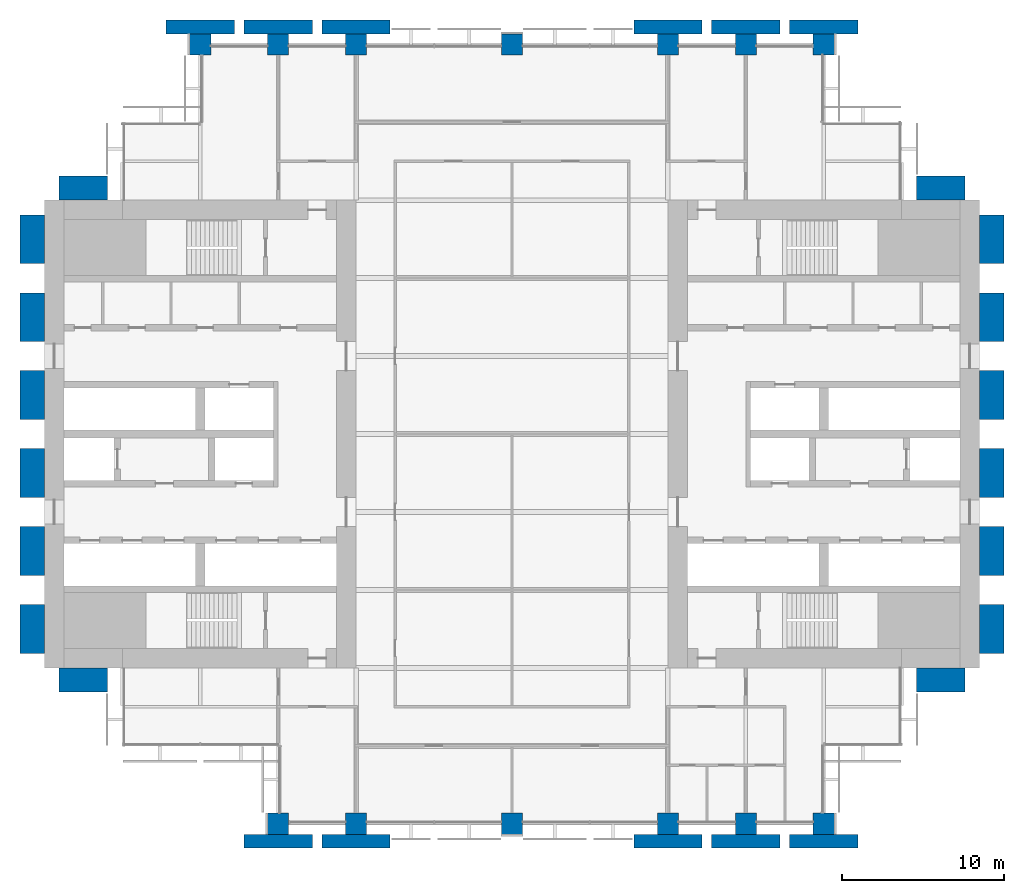
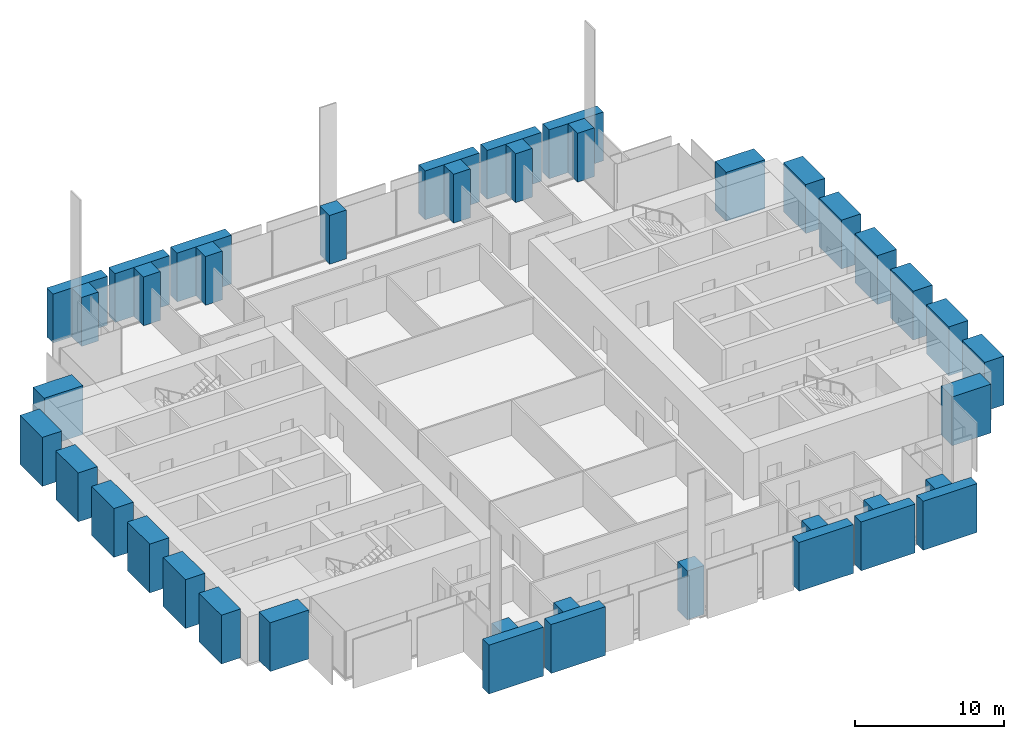
# One storey, part 1 of 14: 40 columns.
"""IFC4 building model written with IfcOpenShell, lengths in metres."""

from ifc_helpers import new_model, si_unit, direction, frame, origin, origin_2d, place, context, subcontext, project, spatial, rectangle, extrude, material, material_profile, profile_set, type_object, element, save


model = new_model("IFC4")

# Units and contexts
model_context = context("Model", 3, precision=1e-05, world=origin(), true_north=direction((0.0, 1.0)))
body_context = subcontext(model_context, "Body", "Model", "MODEL_VIEW")
ifc_project = project(units=[si_unit("LENGTHUNIT", "METRE"), si_unit("AREAUNIT", "SQUARE_METRE"), si_unit("VOLUMEUNIT", "CUBIC_METRE"), si_unit("PLANEANGLEUNIT", "RADIAN"), si_unit("MASSUNIT", "GRAM", prefix="KILO")], contexts=[model_context])

# Site, building, storey
site_placement = place(None, origin())
site = spatial("IfcSite", under=ifc_project, at=site_placement, CompositionType="ELEMENT")
building_placement = place(site_placement, origin())
building = spatial("IfcBuilding", under=site, at=building_placement, Name="Baori Bourse Tower", CompositionType="ELEMENT")
storey_placement = place(building_placement, frame((0.0, 0.0, 39.0)))
storey = spatial("IfcBuildingStorey", under=building, at=storey_placement, Name="L07", CompositionType="ELEMENT", Elevation=39.0)

# Columns
ifc_material_1 = material(Name="Concrete f'c 60 MPa", Category="concrete")
ifc_material_profile_1 = material_profile(ifc_material_1, rectangle(XDim=4.199951171875, YDim=0.85009765625, at=origin_2d()), Name="RC 4200x850")
ifc_profile_set_1 = profile_set([ifc_material_profile_1], Name="Concrete f'c 60 MPa")
column_type_1 = type_object("IfcColumnType", Name="FN3 Brick pilaster 4200x850", PredefinedType="PILASTER", material=ifc_profile_set_1)
for number, where, z_axis, x_axis, name in (
    (1, (14.39990234375, -1.074951171875, 0.0), (0.0, 0.0, 1.0), (1.0, 0.0, 0.0), "Brick pilaster L07 17"),
    (2, (19.199951171875, -1.074951171875, 0.0), (0.0, 0.0, 1.0), (1.0, 0.0, 0.0), "Brick pilaster L07 18"),
    (3, (38.39990234375, -1.074951171875, 0.0), (0.0, 0.0, 1.0), (1.0, 0.0, 0.0), "Brick pilaster L07 19"),
    (4, (43.199951171875, -1.074951171875, 0.0), (0.0, 0.0, 1.0), (1.0, 0.0, 0.0), "Brick pilaster L07 20"),
    (5, (48.0, -1.074951171875, 0.0), (0.0, 0.0, 1.0), (1.0, 0.0, 0.0), "Brick pilaster L07 21"),
    (6, (9.60009765625, 49.074951171875, 0.0), (0.0, 0.0, 1.0), (1.0, 0.0, 0.0), "Brick pilaster L07 22"),
    (7, (14.39990234375, 49.074951171875, 0.0), (0.0, 0.0, 1.0), (1.0, 0.0, 0.0), "Brick pilaster L07 23"),
    (8, (19.199951171875, 49.074951171875, 0.0), (0.0, 0.0, 1.0), (1.0, 0.0, 0.0), "Brick pilaster L07 24"),
    (9, (38.39990234375, 49.074951171875, 0.0), (0.0, 0.0, 1.0), (1.0, 0.0, 0.0), "Brick pilaster L07 25"),
    (10, (43.199951171875, 49.074951171875, 0.0), (0.0, 0.0, 1.0), (1.0, 0.0, 0.0), "Brick pilaster L07 26"),
    (11, (48.0, 49.074951171875, 0.0), (0.0, 0.0, 1.0), (1.0, 0.0, 0.0), "Brick pilaster L07 27"),
):
    element("IfcColumn", number, at=place(storey_placement, frame(where, z_axis=z_axis, x_axis=x_axis)), inside=storey, type_object=column_type_1, Name=name, PredefinedType="PILASTER", context=body_context, shape_type="SweptSolid", body=[
        extrude(rectangle(XDim=4.199951171875, YDim=0.85009765625, at=origin_2d()), origin(), (0.0, 0.0, 1.0), 4.0),
    ])
ifc_material_2 = material(Name="Concrete f'c 60 MPa", Category="concrete")
ifc_material_profile_2 = material_profile(ifc_material_2, rectangle(XDim=3.0, YDim=1.5, at=origin_2d()), Name="RC 3000x1500")
ifc_profile_set_2 = profile_set([ifc_material_profile_2], Name="Concrete f'c 60 MPa")
column_type_2 = type_object("IfcColumnType", Name="FN4 Brick flank pilaster 3000x1500", PredefinedType="PILASTER", material=ifc_profile_set_2)
for number, where, z_axis, x_axis, name in (
    (12, (55.199951171875, 8.85009765625, 0.0), (0.0, 0.0, 1.0), (1.0, 0.0, 0.0), "Brick pilaster L07 1"),
    (13, (58.35009765625, 12.0, 0.0), (0.0, 0.0, 1.0), (0.0, 1.0, 0.0), "Brick pilaster L07 2"),
    (14, (58.35009765625, 16.800048828125, 0.0), (0.0, 0.0, 1.0), (0.0, 1.0, 0.0), "Brick pilaster L07 3"),
    (15, (58.35009765625, 21.60009765625, 0.0), (0.0, 0.0, 1.0), (0.0, 1.0, 0.0), "Brick pilaster L07 4"),
    (16, (58.35009765625, 26.39990234375, 0.0), (0.0, 0.0, 1.0), (0.0, 1.0, 0.0), "Brick pilaster L07 5"),
    (17, (58.35009765625, 31.199951171875, 0.0), (0.0, 0.0, 1.0), (0.0, 1.0, 0.0), "Brick pilaster L07 6"),
    (18, (58.35009765625, 36.0, 0.0), (0.0, 0.0, 1.0), (0.0, 1.0, 0.0), "Brick pilaster L07 7"),
    (19, (55.199951171875, 39.14990234375, 0.0), (0.0, 0.0, 1.0), (1.0, 0.0, 0.0), "Brick pilaster L07 8"),
    (20, (2.39990234375, 39.14990234375, 0.0), (0.0, 0.0, 1.0), (1.0, 0.0, 0.0), "Brick pilaster L07 9"),
    (21, (-0.75, 12.0, 0.0), (0.0, 0.0, 1.0), (0.0, 1.0, 0.0), "Brick pilaster L07 10"),
    (22, (-0.75, 16.800048828125, 0.0), (0.0, 0.0, 1.0), (0.0, 1.0, 0.0), "Brick pilaster L07 11"),
    (23, (-0.75, 21.60009765625, 0.0), (0.0, 0.0, 1.0), (0.0, 1.0, 0.0), "Brick pilaster L07 12"),
    (24, (-0.75, 26.39990234375, 0.0), (0.0, 0.0, 1.0), (0.0, 1.0, 0.0), "Brick pilaster L07 13"),
    (25, (-0.75, 31.199951171875, 0.0), (0.0, 0.0, 1.0), (0.0, 1.0, 0.0), "Brick pilaster L07 14"),
    (26, (-0.75, 36.0, 0.0), (0.0, 0.0, 1.0), (0.0, 1.0, 0.0), "Brick pilaster L07 15"),
    (27, (2.39990234375, 8.85009765625, 0.0), (0.0, 0.0, 1.0), (1.0, 0.0, 0.0), "Brick pilaster L07 16"),
):
    element("IfcColumn", number, at=place(storey_placement, frame(where, z_axis=z_axis, x_axis=x_axis)), inside=storey, type_object=column_type_2, Name=name, PredefinedType="PILASTER", context=body_context, shape_type="SweptSolid", body=[
        extrude(rectangle(XDim=3.0, YDim=1.5, at=origin_2d()), origin(), (0.0, 0.0, 1.0), 4.0),
    ])
ifc_material_3 = material(Name="Concrete f'c 70 MPa", Category="concrete")
ifc_material_profile_3 = material_profile(ifc_material_3, rectangle(XDim=1.300048828125, YDim=1.300048828125, at=origin_2d()), Name="RC 1300x1300")
ifc_profile_set_3 = profile_set([ifc_material_profile_3], Name="Concrete f'c 70 MPa")
column_type_3 = type_object("IfcColumnType", Name="Perimeter column RC 1300x1300", PredefinedType="COLUMN", material=ifc_profile_set_3)
for number, where, z_axis, x_axis, name in (
    (28, (14.39990234375, 0.0, 0.0), (0.0, 0.0, 1.0), (1.0, 0.0, 0.0), "Perimeter column L07"),
    (29, (19.199951171875, 0.0, 0.0), (0.0, 0.0, 1.0), (1.0, 0.0, 0.0), "Perimeter column L07"),
    (30, (28.800048828125, 0.0, 0.0), (0.0, 0.0, 1.0), (1.0, 0.0, 0.0), "Perimeter column L07"),
    (31, (38.39990234375, 0.0, 0.0), (0.0, 0.0, 1.0), (1.0, 0.0, 0.0), "Perimeter column L07"),
    (32, (43.199951171875, 0.0, 0.0), (0.0, 0.0, 1.0), (1.0, 0.0, 0.0), "Perimeter column L07"),
    (33, (48.0, 0.0, 0.0), (0.0, 0.0, 1.0), (1.0, 0.0, 0.0), "Perimeter column L07"),
    (34, (9.60009765625, 48.0, 0.0), (0.0, 0.0, 1.0), (1.0, 0.0, 0.0), "Perimeter column L07"),
    (35, (14.39990234375, 48.0, 0.0), (0.0, 0.0, 1.0), (1.0, 0.0, 0.0), "Perimeter column L07"),
    (36, (19.199951171875, 48.0, 0.0), (0.0, 0.0, 1.0), (1.0, 0.0, 0.0), "Perimeter column L07"),
    (37, (28.800048828125, 48.0, 0.0), (0.0, 0.0, 1.0), (1.0, 0.0, 0.0), "Perimeter column L07"),
    (38, (38.39990234375, 48.0, 0.0), (0.0, 0.0, 1.0), (1.0, 0.0, 0.0), "Perimeter column L07"),
    (39, (43.199951171875, 48.0, 0.0), (0.0, 0.0, 1.0), (1.0, 0.0, 0.0), "Perimeter column L07"),
    (40, (48.0, 48.0, 0.0), (0.0, 0.0, 1.0), (1.0, 0.0, 0.0), "Perimeter column L07"),
):
    element("IfcColumn", number, at=place(storey_placement, frame(where, z_axis=z_axis, x_axis=x_axis)), inside=storey, type_object=column_type_3, Name=name, PredefinedType="COLUMN", context=body_context, shape_type="SweptSolid", body=[
        extrude(rectangle(XDim=1.300048828125, YDim=1.300048828125, at=origin_2d()), origin(), (0.0, 0.0, 1.0), 4.0),
    ])

save(model, "model.ifc")
